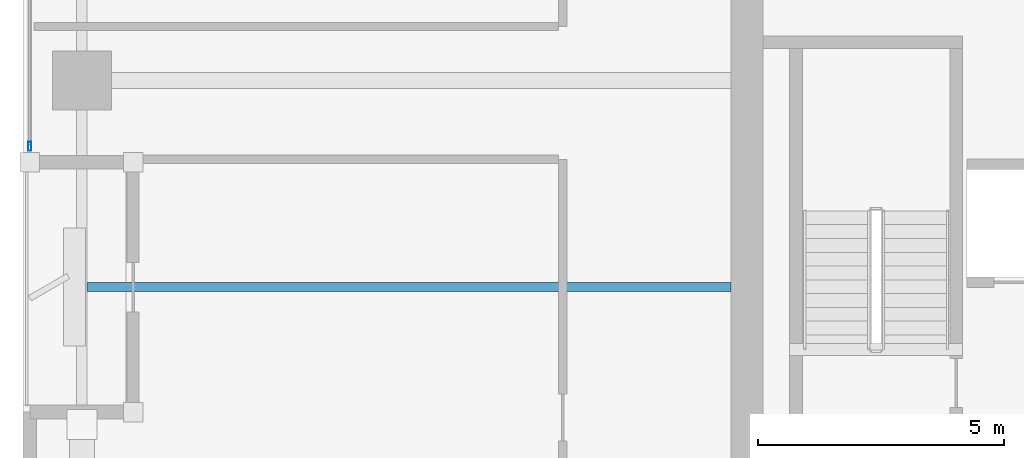
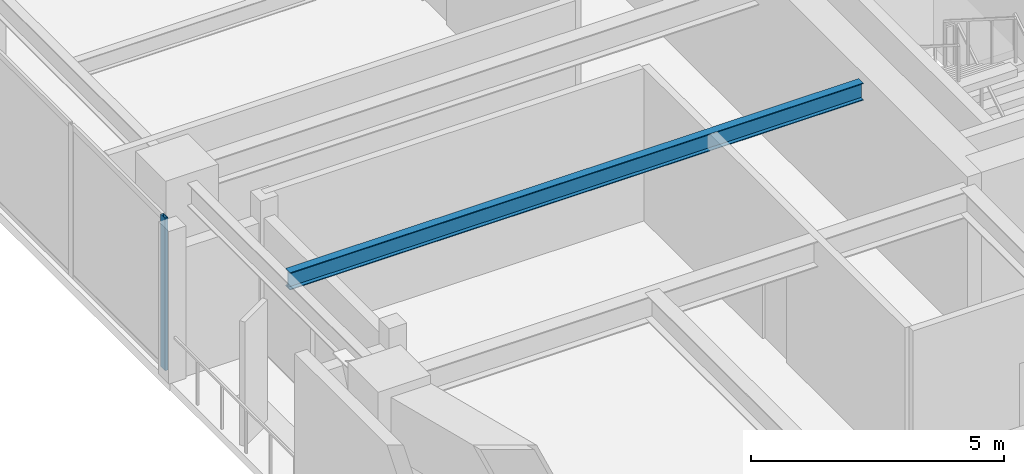
# One storey, part 2 of 30: 1 beam, 1 member, 1 element without a shape of its own.
"""IFC4 building model written with IfcOpenShell, lengths in metres."""

from ifc_helpers import new_model, si_unit, direction, frame, origin, origin_2d, place, context, subcontext, project, spatial, hollow_rectangle, i_section, extrude, material, layer, layer_set, material_profile, profile_set, type_object, element, aggregate, save


model = new_model("IFC4")

# Units and contexts
model_context = context("Model", 3, precision=1e-05, world=origin(), true_north=direction((0.0, 1.0)))
body_context = subcontext(model_context, "Body", "Model", "MODEL_VIEW")
ifc_project = project(units=[si_unit("LENGTHUNIT", "METRE"), si_unit("AREAUNIT", "SQUARE_METRE"), si_unit("VOLUMEUNIT", "CUBIC_METRE"), si_unit("PLANEANGLEUNIT", "RADIAN"), si_unit("MASSUNIT", "GRAM", prefix="KILO")], contexts=[model_context])

# Site, building, storey
site_placement = place(None, origin())
site = spatial("IfcSite", under=ifc_project, at=site_placement, CompositionType="ELEMENT")
building_placement = place(site_placement, origin())
building = spatial("IfcBuilding", under=site, at=building_placement, Name="Kiyonajd Concourse Tower", CompositionType="ELEMENT")
storey_placement = place(building_placement, frame((0.0, 0.0, 201.89990234375)))
storey = spatial("IfcBuildingStorey", under=building, at=storey_placement, Name="L51", CompositionType="ELEMENT", Elevation=201.89990234375)

# Beam
ifc_material_1 = material(Name="Steel ASTM A992 Grade 50", Category="steel")
ifc_material_profile_1 = material_profile(ifc_material_1, i_section(OverallWidth=0.180908203125, OverallDepth=0.4169921875, WebThickness=0.010986328125, FlangeThickness=0.018310546875, at=origin_2d()), Name="W410X85")
ifc_profile_set_1 = profile_set([ifc_material_profile_1], Name="Steel ASTM A992 Grade 50")
beam_type = type_object("IfcBeamType", Name="BM-JST-410", PredefinedType="JOIST", material=ifc_profile_set_1)
beam_placement = place(storey_placement, frame((19.306884765625, 31.800048828125, 3.4716796875), z_axis=(1.0, 0.0, 0.0), x_axis=(0.0, 1.0, 0.0)))
element("IfcBeam", 1, at=beam_placement, inside=storey, type_object=beam_type, Name="L51 West Secondary Floor Joist", PredefinedType="JOIST", context=body_context, shape_type="SweptSolid", body=[
    extrude(i_section(OverallWidth=0.180908203125, OverallDepth=0.4169921875, WebThickness=0.010986328125, FlangeThickness=0.018310546875, at=origin_2d()), origin(), (0.0, 0.0, 1.0), 13.093017578125),
])

# Curtain wall, member
ifc_material_2 = material(Name="Thermally Broken Anodised Aluminium", Category="aluminium")
ifc_layer = layer(ifc_material_2, 0.179931640625)
ifc_layer_set = layer_set([ifc_layer], Name="Thermally Broken Anodised Aluminium")
curtain_wall_type = type_object("IfcCurtainWallType", Name="CW-SYS-03", PredefinedType="NOTDEFINED", material=ifc_layer_set)
curtain_wall_placement = place(storey_placement, origin())
curtain_wall = element("IfcCurtainWall", 2, at=curtain_wall_placement, inside=storey, type_object=curtain_wall_type, Name="L51 Unitised Curtain Wall CW3", PredefinedType="NOTDEFINED")
ifc_material_profile_2 = material_profile(ifc_material_2, hollow_rectangle(XDim=0.06494140625, YDim=0.179931640625, WallThickness=0.00390625, at=origin_2d()), Name="MULL-65x180")
ifc_profile_set_2 = profile_set([ifc_material_profile_2], Name="Thermally Broken Anodised Aluminium")
member_type = type_object("IfcMemberType", Name="MB-CW-MULL1", PredefinedType="MULLION", material=ifc_profile_set_2)
member_placement = place(storey_placement, frame((18.139892578125, 34.66259765625, 0.0), z_axis=(0.0, 0.0, 1.0), x_axis=(-1.0, 0.0, 0.0)))
member = element("IfcMember", 3, at=member_placement, type_object=member_type, Name="CW3 mullion 1", PredefinedType="MULLION", context=body_context, shape_type="SweptSolid", body=[
    extrude(hollow_rectangle(XDim=0.06494140625, YDim=0.179931640625, WallThickness=0.00390625, at=origin_2d()), origin(), (0.0, 0.0, 1.0), 3.68017578125),
])
aggregate(curtain_wall, [member])

save(model, "model.ifc")
